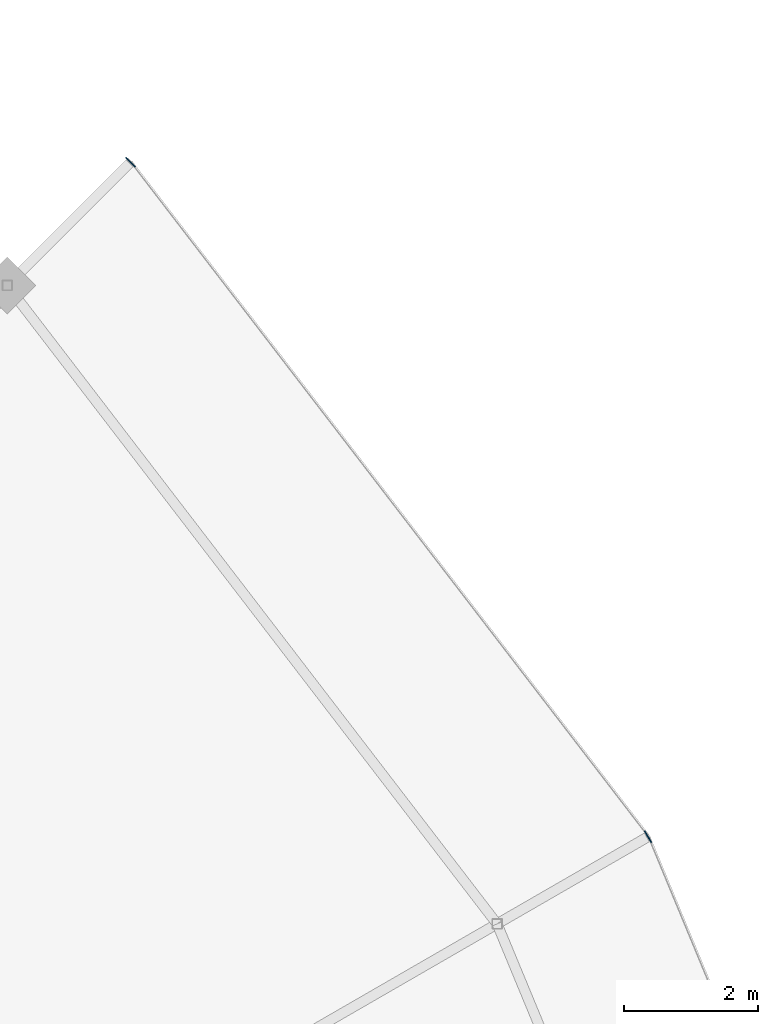
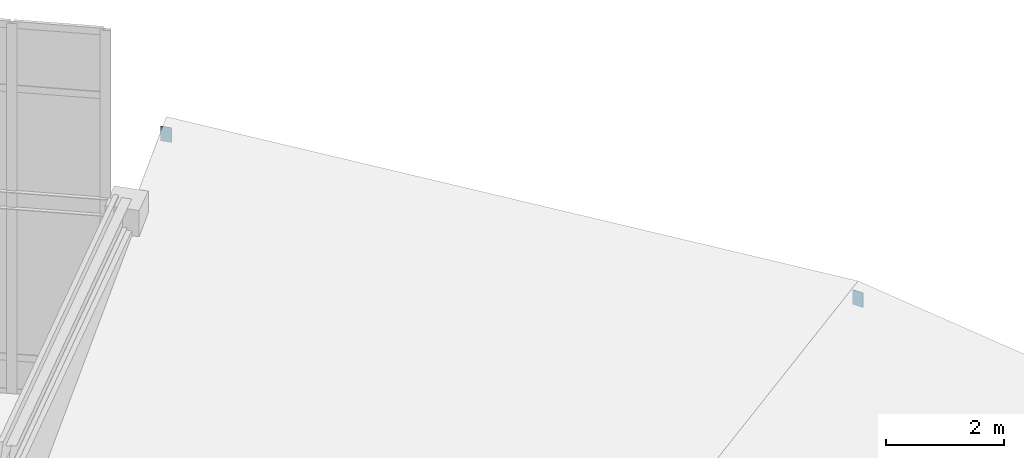
# One storey, part 176 of 200: 2 plates.
"""IFC4 building model written with IfcOpenShell, lengths in metres."""

from ifc_helpers import new_model, si_unit, direction, frame, origin, origin_2d, place, context, subcontext, project, spatial, rectangle, extrude, material, layer, layer_set, type_object, element, save


model = new_model("IFC4")

# Units and contexts
model_context = context("Model", 3, precision=1e-05, world=origin(), true_north=direction((0.0, 1.0)))
body_context = subcontext(model_context, "Body", "Model", "MODEL_VIEW")
ifc_project = project(units=[si_unit("LENGTHUNIT", "METRE"), si_unit("AREAUNIT", "SQUARE_METRE"), si_unit("VOLUMEUNIT", "CUBIC_METRE"), si_unit("PLANEANGLEUNIT", "RADIAN"), si_unit("MASSUNIT", "GRAM", prefix="KILO")], contexts=[model_context])

# Site, building, storey
site_placement = place(None, origin())
site = spatial("IfcSite", under=ifc_project, at=site_placement, CompositionType="ELEMENT")
building_placement = place(site_placement, origin())
building = spatial("IfcBuilding", under=site, at=building_placement, Name="Vondelvale Polytechnic", CompositionType="ELEMENT")
storey_placement = place(building_placement, frame((0.0, 0.0, 13.800048828125)))
storey = spatial("IfcBuildingStorey", under=building, at=storey_placement, Name="L03", CompositionType="ELEMENT", Elevation=13.800048828125)

# Plates
ifc_material = material(Name="Steel Grade 350 (fy = 340 MPa)", Category="steel")
ifc_layer = layer(ifc_material, 0.01611328125)
ifc_layer_set = layer_set([ifc_layer], Name="PLATE-CAP-300x200")
plate_type = type_object("IfcPlateType", Name="PLATE-CAP-300x200", PredefinedType="USERDEFINED", material=ifc_layer_set)
for number, where, z_axis, x_axis, name in (
    (1, (144.0888671875, 96.300048828125, 3.61572265625), (0.0, 0.0, 1.0), (-0.866025403784, -0.5, 0.0), "Ring rafter hollow end cap plate 02O"),
    (2, (136.365478515625, 106.365478515625, 3.61572265625), (0.0, 0.0, 1.0), (-0.707106781187, -0.707106781187, 0.0), "Ring step rafter end cap plate 02O"),
):
    element("IfcPlate", number, at=place(storey_placement, frame(where, z_axis=z_axis, x_axis=x_axis)), inside=storey, type_object=plate_type, Name=name, ObjectType="CAP_PLATE", PredefinedType="USERDEFINED", context=body_context, shape_type="SweptSolid", body=[
        extrude(rectangle(XDim=0.01611328125, YDim=0.199951171875, at=origin_2d()), origin(), (0.0, 0.0, 1.0), 0.300048828125),
    ])

save(model, "model.ifc")
